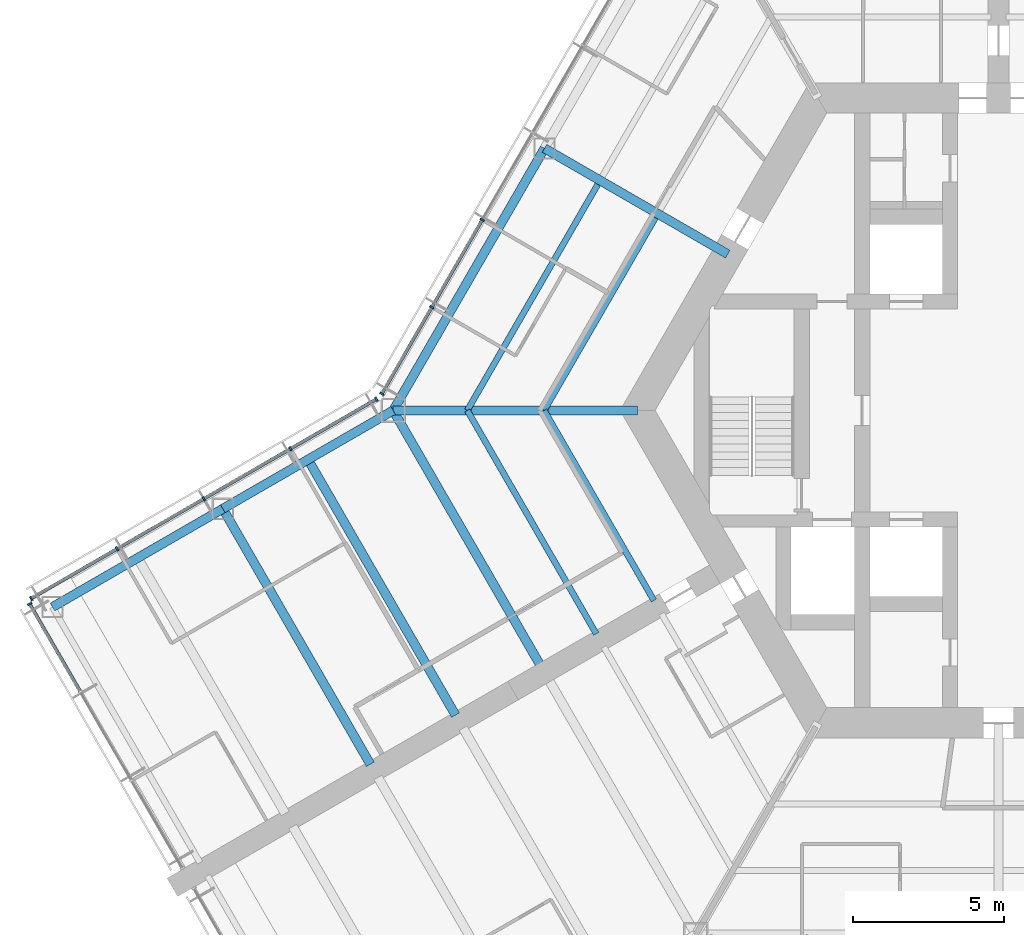
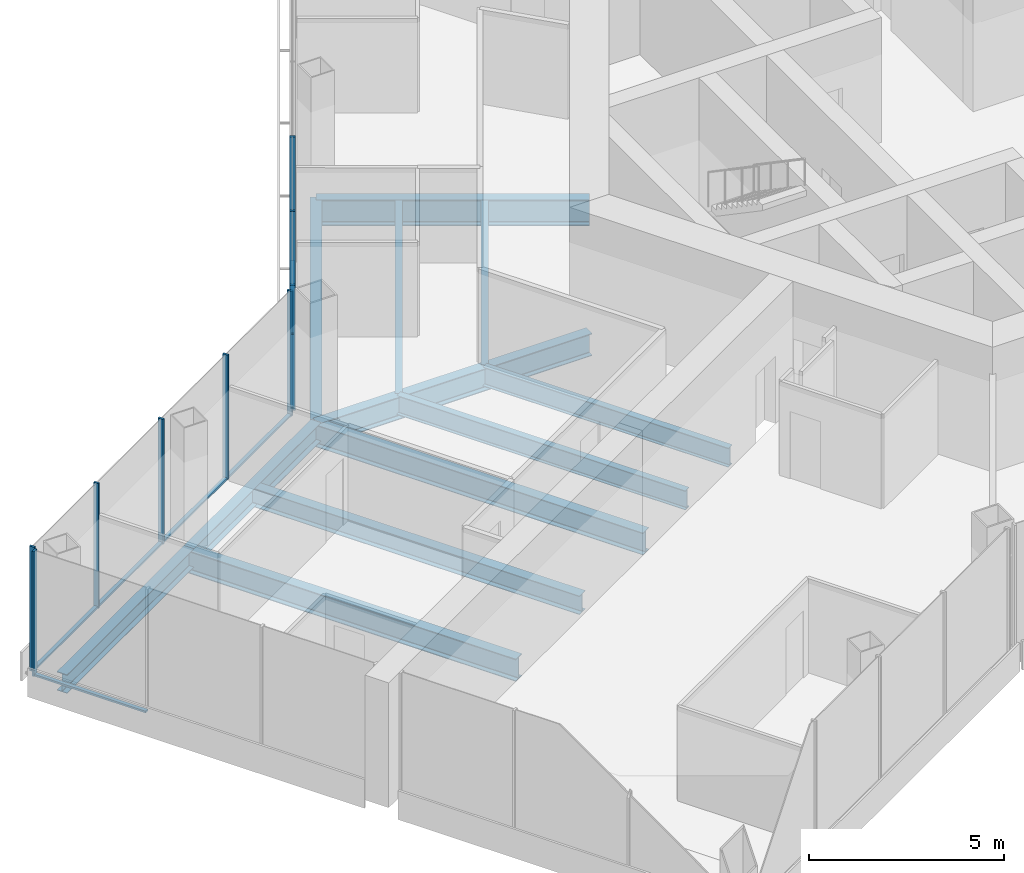
# One storey, part 4 of 18: 16 members, 12 beams, 3 elements without a shape of their own.
"""IFC4 building model written with IfcOpenShell, lengths in metres."""

from ifc_helpers import new_model, si_unit, direction, frame, origin, origin_2d, place, context, subcontext, project, spatial, rectangle, i_section, extrude, material, material_profile, profile_set, type_object, element, aggregate, save


model = new_model("IFC4")

# Units and contexts
model_context = context("Model", 3, precision=1e-05, world=origin(), true_north=direction((0.0, 1.0)))
body_context = subcontext(model_context, "Body", "Model", "MODEL_VIEW")
ifc_project = project(units=[si_unit("LENGTHUNIT", "METRE"), si_unit("AREAUNIT", "SQUARE_METRE"), si_unit("VOLUMEUNIT", "CUBIC_METRE"), si_unit("PLANEANGLEUNIT", "RADIAN"), si_unit("MASSUNIT", "GRAM", prefix="KILO")], contexts=[model_context])

# Site, building, storey
site_placement = place(None, origin())
site = spatial("IfcSite", under=ifc_project, at=site_placement, CompositionType="ELEMENT")
building_placement = place(site_placement, origin())
building = spatial("IfcBuilding", under=site, at=building_placement, Name="Kasaneha Research Tower", CompositionType="ELEMENT")
storey_placement = place(building_placement, frame((0.0, 0.0, 137.0)))
storey = spatial("IfcBuildingStorey", under=building, at=storey_placement, Name="L34", CompositionType="ELEMENT", Elevation=137.0)

# Beams
ifc_material_1 = material(Name="Steel SN490B", Category="steel")
ifc_material_profile_1 = material_profile(ifc_material_1, i_section(OverallWidth=0.199951171875, OverallDepth=0.60009765625, WebThickness=0.010986328125, FlangeThickness=0.01708984375, FilletRadius=0.012939453125, at=origin_2d()), Name="H-600x200x11x17")
ifc_profile_set_1 = profile_set([ifc_material_profile_1], Name="Steel SN490B")
beam_type_1 = type_object("IfcBeamType", Name="B1-3 secondary beam H-600x200x11x17", PredefinedType="JOIST", material=ifc_profile_set_1)
beam_1_placement = place(storey_placement, frame((-15.010986328125, 0.0, -0.449951171875), z_axis=(0.499994443168, 0.866028611999, 0.0), x_axis=(-0.866028611999, 0.499994443168, 0.0)))
element("IfcBeam", 1, at=beam_1_placement, inside=storey, type_object=beam_type_1, Name="Secondary beam RS150R1 L34", PredefinedType="JOIST", context=body_context, shape_type="SweptSolid", body=[
    extrude(i_section(OverallWidth=0.199951171875, OverallDepth=0.60009765625, WebThickness=0.010986328125, FlangeThickness=0.01708984375, FilletRadius=0.012939453125, at=origin_2d()), origin(), (0.0, 0.0, 1.0), 7.35546875),
])
beam_2_placement = place(storey_placement, frame((-17.551513671875, 0.0, -0.449951171875), z_axis=(0.5000050195, 0.866022505755, 0.0), x_axis=(-0.866022505755, 0.5000050195, 0.0)))
element("IfcBeam", 2, at=beam_2_placement, inside=storey, type_object=beam_type_1, Name="Secondary beam RS150R2 L34", PredefinedType="JOIST", context=body_context, shape_type="SweptSolid", body=[
    extrude(i_section(OverallWidth=0.199951171875, OverallDepth=0.60009765625, WebThickness=0.010986328125, FlangeThickness=0.01708984375, FilletRadius=0.012939453125, at=origin_2d()), origin(), (0.0, 0.0, 1.0), 8.6259765625),
])
beam_3_placement = place(storey_placement, frame((-15.010986328125, 0.0, -0.449951171875), z_axis=(0.499993340521, -0.866029248602, 0.0), x_axis=(0.866029248602, 0.499993340521, 0.0)))
element("IfcBeam", 3, at=beam_3_placement, inside=storey, type_object=beam_type_1, Name="Secondary beam RS210L1 L34", PredefinedType="JOIST", context=body_context, shape_type="SweptSolid", body=[
    extrude(i_section(OverallWidth=0.199951171875, OverallDepth=0.60009765625, WebThickness=0.010986328125, FlangeThickness=0.01708984375, FilletRadius=0.012939453125, at=origin_2d()), origin(), (0.0, 0.0, 1.0), 7.25537109375),
])
beam_4_placement = place(storey_placement, frame((-17.551513671875, 0.0, -0.449951171875), z_axis=(0.500004205306, -0.866022975836, 0.0), x_axis=(0.866022975836, 0.500004205306, 0.0)))
element("IfcBeam", 4, at=beam_4_placement, inside=storey, type_object=beam_type_1, Name="Secondary beam RS210L2 L34", PredefinedType="JOIST", context=body_context, shape_type="SweptSolid", body=[
    extrude(i_section(OverallWidth=0.199951171875, OverallDepth=0.60009765625, WebThickness=0.010986328125, FlangeThickness=0.01708984375, FilletRadius=0.012939453125, at=origin_2d()), origin(), (0.0, 0.0, 1.0), 8.52587890625),
])
ifc_material_2 = material(Name="Steel SN490B", Category="steel")
ifc_material_profile_2 = material_profile(ifc_material_2, i_section(OverallWidth=0.300048828125, OverallDepth=0.58203125, WebThickness=0.011962890625, FlangeThickness=0.01708984375, FilletRadius=0.012939453125, at=origin_2d()), Name="H-582x300x12x17")
ifc_profile_set_2 = profile_set([ifc_material_profile_2], Name="Steel SN490B")
beam_type_2 = type_object("IfcBeamType", Name="B2-3 secondary beam H-582x300x12x17", PredefinedType="JOIST", material=ifc_profile_set_2)
beam_5_placement = place(storey_placement, frame((-22.814697265625, -1.625, -0.44091796875), z_axis=(0.499995560238, -0.866027967067, 0.0), x_axis=(0.866027967067, 0.499995560238, 0.0)))
element("IfcBeam", 5, at=beam_5_placement, inside=storey, type_object=beam_type_2, Name="Secondary beam WBBP1 L34", PredefinedType="JOIST", context=body_context, shape_type="SweptSolid", body=[
    extrude(i_section(OverallWidth=0.300048828125, OverallDepth=0.58203125, WebThickness=0.011962890625, FlangeThickness=0.01708984375, FilletRadius=0.012939453125, at=origin_2d()), origin(), (0.0, 0.0, 1.0), 9.75),
])

# Curtain wall, members
ifc_material_3 = material(Name="Glass and aluminium", Category="aluminium")
curtain_wall_type = type_object("IfcCurtainWallType", Name="Mid-rise office curtain wall", PredefinedType="USERDEFINED", material=ifc_material_3)
curtain_wall_1_placement = place(storey_placement, origin())
curtain_wall_1 = element("IfcCurtainWall", 6, at=curtain_wall_1_placement, inside=storey, type_object=curtain_wall_type, Name="CW-O2 L34 run 08a", ObjectType="UNITISED CURTAIN WALL", PredefinedType="USERDEFINED")
ifc_material_4 = material(Name="Aluminium 6063-T6", Category="aluminium")
ifc_material_profile_3 = material_profile(ifc_material_4, rectangle(XDim=0.06005859375, YDim=0.14990234375, at=origin_2d()), Name="CW-O2 mullion 60x150")
ifc_profile_set_3 = profile_set([ifc_material_profile_3], Name="Aluminium 6063-T6")
member_type_1 = type_object("IfcMemberType", Name="CW-O2 mullion", PredefinedType="MULLION", material=ifc_profile_set_3)
member_1_placement = place(storey_placement, frame((-17.058349609375, 6.295166015625, 0.0), z_axis=(0.0, 0.0, 1.0), x_axis=(-0.499999979232, -0.866025415775, 0.0)))
member_1 = element("IfcMember", 7, at=member_1_placement, type_object=member_type_1, Name="CW-O2 mullion 5", PredefinedType="MULLION", context=body_context, shape_type="SweptSolid", body=[
    extrude(rectangle(XDim=0.06005859375, YDim=0.14990234375, at=origin_2d()), origin(), (0.0, 0.0, 1.0), 3.89990234375),
])
member_2_placement = place(storey_placement, frame((-18.723876953125, 3.410400390625, 0.0), z_axis=(0.0, 0.0, 1.0), x_axis=(-0.499999979232, -0.866025415775, 0.0)))
member_2 = element("IfcMember", 8, at=member_2_placement, type_object=member_type_1, Name="CW-O2 mullion 6", PredefinedType="MULLION", context=body_context, shape_type="SweptSolid", body=[
    extrude(rectangle(XDim=0.06005859375, YDim=0.14990234375, at=origin_2d()), origin(), (0.0, 0.0, 1.0), 3.89990234375),
])
member_3_placement = place(storey_placement, frame((-20.374267578125, 0.5517578125, 0.0), z_axis=(0.0, 0.0, 1.0), x_axis=(-0.499999979232, -0.866025415775, 0.0)))
member_3 = element("IfcMember", 9, at=member_3_placement, type_object=member_type_1, Name="CW-O2 mullion 7", PredefinedType="MULLION", context=body_context, shape_type="SweptSolid", body=[
    extrude(rectangle(XDim=0.06005859375, YDim=0.14990234375, at=origin_2d()), origin(), (0.0, 0.0, 1.0), 3.89990234375),
])

curtain_wall_2_placement = place(storey_placement, origin())
curtain_wall_2 = element("IfcCurtainWall", 10, at=curtain_wall_2_placement, inside=storey, type_object=curtain_wall_type, Name="CW-O2 L34 run 09a", ObjectType="UNITISED CURTAIN WALL", PredefinedType="USERDEFINED")
member_4_placement = place(storey_placement, frame((-20.5517578125, 0.374267578125, 0.0), z_axis=(0.0, 0.0, 1.0), x_axis=(-0.866025411464, -0.499999986699, 0.0)))
member_4 = element("IfcMember", 11, at=member_4_placement, type_object=member_type_1, Name="CW-O2 mullion 1", PredefinedType="MULLION", context=body_context, shape_type="SweptSolid", body=[
    extrude(rectangle(XDim=0.06005859375, YDim=0.14990234375, at=origin_2d()), origin(), (0.0, 0.0, 1.0), 3.89990234375),
])
member_5_placement = place(storey_placement, frame((-23.39208984375, -1.265625, 0.0), z_axis=(0.0, 0.0, 1.0), x_axis=(-0.866025411464, -0.499999986699, 0.0)))
member_5 = element("IfcMember", 12, at=member_5_placement, type_object=member_type_1, Name="CW-O2 mullion 2", PredefinedType="MULLION", context=body_context, shape_type="SweptSolid", body=[
    extrude(rectangle(XDim=0.06005859375, YDim=0.14990234375, at=origin_2d()), origin(), (0.0, 0.0, 1.0), 3.89990234375),
])
member_6_placement = place(storey_placement, frame((-26.258544921875, -2.920654296875, 0.0), z_axis=(0.0, 0.0, 1.0), x_axis=(-0.866025411464, -0.499999986699, 0.0)))
member_6 = element("IfcMember", 13, at=member_6_placement, type_object=member_type_1, Name="CW-O2 mullion 3", PredefinedType="MULLION", context=body_context, shape_type="SweptSolid", body=[
    extrude(rectangle(XDim=0.06005859375, YDim=0.14990234375, at=origin_2d()), origin(), (0.0, 0.0, 1.0), 3.89990234375),
])
member_7_placement = place(storey_placement, frame((-29.125, -4.575439453125, 0.0), z_axis=(0.0, 0.0, 1.0), x_axis=(-0.866025411464, -0.499999986699, 0.0)))
member_7 = element("IfcMember", 14, at=member_7_placement, type_object=member_type_1, Name="CW-O2 mullion 4", PredefinedType="MULLION", context=body_context, shape_type="SweptSolid", body=[
    extrude(rectangle(XDim=0.06005859375, YDim=0.14990234375, at=origin_2d()), origin(), (0.0, 0.0, 1.0), 3.89990234375),
])
member_8_placement = place(storey_placement, frame((-31.96533203125, -6.21533203125, 0.0), z_axis=(0.0, 0.0, 1.0), x_axis=(-0.866025411464, -0.499999986699, 0.0)))
member_8 = element("IfcMember", 15, at=member_8_placement, type_object=member_type_1, Name="CW-O2 mullion 5", PredefinedType="MULLION", context=body_context, shape_type="SweptSolid", body=[
    extrude(rectangle(XDim=0.06005859375, YDim=0.14990234375, at=origin_2d()), origin(), (0.0, 0.0, 1.0), 3.89990234375),
])

# Curtain wall, member
curtain_wall_3_placement = place(storey_placement, origin())
curtain_wall_3 = element("IfcCurtainWall", 16, at=curtain_wall_3_placement, inside=storey, type_object=curtain_wall_type, Name="CW-O2 L34 run 10a", ObjectType="UNITISED CURTAIN WALL", PredefinedType="USERDEFINED")
member_9_placement = place(storey_placement, frame((-32.012939453125, -6.39306640625, 0.0), z_axis=(0.0, 0.0, 1.0), x_axis=(0.500000011442, -0.866025397178, 0.0)))
member_9 = element("IfcMember", 17, at=member_9_placement, type_object=member_type_1, Name="CW-O2 mullion 1", PredefinedType="MULLION", context=body_context, shape_type="SweptSolid", body=[
    extrude(rectangle(XDim=0.06005859375, YDim=0.14990234375, at=origin_2d()), origin(), (0.0, 0.0, 1.0), 3.89990234375),
])

# Member
ifc_material_5 = material(Name="Aluminium 6063-T6", Category="aluminium")
ifc_material_profile_4 = material_profile(ifc_material_5, rectangle(XDim=0.110107421875, YDim=0.06005859375, at=origin_2d()), Name="CW-O2 transom 110x60")
ifc_profile_set_4 = profile_set([ifc_material_profile_4], Name="Aluminium 6063-T6")
member_type_2 = type_object("IfcMemberType", Name="CW-O2 transom", PredefinedType="USERDEFINED", material=ifc_profile_set_4)
member_10_placement = place(storey_placement, frame((-17.0732421875, 6.269287109375, 0.030029296875), z_axis=(-0.500000270186, -0.866025247793, 0.0), x_axis=(0.866025247793, -0.500000270186, 0.0)))
member_10 = element("IfcMember", 18, at=member_10_placement, type_object=member_type_2, Name="CW-O2 transom 5", ObjectType="TRANSOM", PredefinedType="USERDEFINED", context=body_context, shape_type="SweptSolid", body=[
    extrude(rectangle(XDim=0.110107421875, YDim=0.06005859375, at=origin_2d()), origin(), (0.0, 0.0, 1.0), 3.27099609375),
])

member_11_placement = place(storey_placement, frame((-18.73876953125, 3.384521484375, 0.030029296875), z_axis=(-0.499987643696, -0.866032537582, 0.0), x_axis=(0.866032537582, -0.499987643696, 0.0)))
member_11 = element("IfcMember", 19, at=member_11_placement, type_object=member_type_2, Name="CW-O2 transom 6", ObjectType="TRANSOM", PredefinedType="USERDEFINED", context=body_context, shape_type="SweptSolid", body=[
    extrude(rectangle(XDim=0.110107421875, YDim=0.06005859375, at=origin_2d()), origin(), (0.0, 0.0, 1.0), 3.24072265625),
])

aggregate(curtain_wall_1, [member_1, member_2, member_3, member_10, member_11])

member_12_placement = place(storey_placement, frame((-20.577880859375, 0.359130859375, 0.030029296875), z_axis=(-0.866022692473, -0.500004696101, 0.0), x_axis=(0.500004696101, -0.866022692473, 0.0)))
member_12 = element("IfcMember", 20, at=member_12_placement, type_object=member_type_2, Name="CW-O2 transom 1", ObjectType="TRANSOM", PredefinedType="USERDEFINED", context=body_context, shape_type="SweptSolid", body=[
    extrude(rectangle(XDim=0.110107421875, YDim=0.06005859375, at=origin_2d()), origin(), (0.0, 0.0, 1.0), 3.2197265625),
])

member_13_placement = place(storey_placement, frame((-23.418212890625, -1.28076171875, 0.030029296875), z_axis=(-0.86604797581, -0.499960902066, 0.0), x_axis=(0.499960902066, -0.86604797581, 0.0)))
member_13 = element("IfcMember", 21, at=member_13_placement, type_object=member_type_2, Name="CW-O2 transom 2", ObjectType="TRANSOM", PredefinedType="USERDEFINED", context=body_context, shape_type="SweptSolid", body=[
    extrude(rectangle(XDim=0.110107421875, YDim=0.06005859375, at=origin_2d()), origin(), (0.0, 0.0, 1.0), 3.249755859375),
])

member_14_placement = place(storey_placement, frame((-26.28466796875, -2.935546875, 0.030029296875), z_axis=(-0.86599666273, -0.500049777664, 0.0), x_axis=(0.500049777664, -0.86599666273, 0.0)))
member_14 = element("IfcMember", 22, at=member_14_placement, type_object=member_type_2, Name="CW-O2 transom 3", ObjectType="TRANSOM", PredefinedType="USERDEFINED", context=body_context, shape_type="SweptSolid", body=[
    extrude(rectangle(XDim=0.110107421875, YDim=0.06005859375, at=origin_2d()), origin(), (0.0, 0.0, 1.0), 3.249755859375),
])

member_15_placement = place(storey_placement, frame((-29.15087890625, -4.590576171875, 0.030029296875), z_axis=(-0.866041647767, -0.499971863542, 0.0), x_axis=(0.499971863542, -0.866041647767, 0.0)))
member_15 = element("IfcMember", 23, at=member_15_placement, type_object=member_type_2, Name="CW-O2 transom 4", ObjectType="TRANSOM", PredefinedType="USERDEFINED", context=body_context, shape_type="SweptSolid", body=[
    extrude(rectangle(XDim=0.110107421875, YDim=0.06005859375, at=origin_2d()), origin(), (0.0, 0.0, 1.0), 3.219970703125),
])

aggregate(curtain_wall_2, [member_4, member_5, member_6, member_7, member_8, member_12, member_13, member_14, member_15])

member_16_placement = place(storey_placement, frame((-31.998046875, -6.4189453125, 0.030029296875), z_axis=(0.500021914551, -0.866012751043, 0.0), x_axis=(0.866012751043, 0.500021914551, 0.0)))
member_16 = element("IfcMember", 24, at=member_16_placement, type_object=member_type_2, Name="CW-O2 transom 1", ObjectType="TRANSOM", PredefinedType="USERDEFINED", context=body_context, shape_type="SweptSolid", body=[
    extrude(rectangle(XDim=0.110107421875, YDim=0.06005859375, at=origin_2d()), origin(), (0.0, 0.0, 1.0), 3.293212890625),
])

aggregate(curtain_wall_3, [member_9, member_16])

# Beams
ifc_material_6 = material(Name="Steel SN490B", Category="steel")
ifc_material_profile_5 = material_profile(ifc_material_6, i_section(OverallWidth=0.300048828125, OverallDepth=0.699951171875, WebThickness=0.012939453125, FlangeThickness=0.02392578125, FilletRadius=0.01806640625, at=origin_2d()), Name="H-700x300x13x24")
ifc_profile_set_5 = profile_set([ifc_material_profile_5], Name="Steel SN490B")
beam_type_3 = type_object("IfcBeamType", Name="G1-3 radial girder H-700x300x13x24", PredefinedType="BEAM", material=ifc_profile_set_5)
beam_6_placement = place(storey_placement, frame((-11.92236328125, 0.0, -0.5), z_axis=(-1.0, 0.0, 0.0), x_axis=(0.0, -1.0, 0.0)))
element("IfcBeam", 25, at=beam_6_placement, inside=storey, type_object=beam_type_3, Name="Radial girder RV180 L34", PredefinedType="BEAM", context=body_context, shape_type="SweptSolid", body=[
    extrude(i_section(OverallWidth=0.300048828125, OverallDepth=0.699951171875, WebThickness=0.012939453125, FlangeThickness=0.02392578125, FilletRadius=0.01806640625, at=origin_2d()), origin(), (0.0, 0.0, 1.0), 8.07763671875),
])
ifc_material_7 = material(Name="Steel SN490B", Category="steel")
ifc_material_profile_6 = material_profile(ifc_material_7, i_section(OverallWidth=0.300048828125, OverallDepth=0.800048828125, WebThickness=0.013916015625, FlangeThickness=0.02587890625, FilletRadius=0.01806640625, at=origin_2d()), Name="H-800x300x14x26")
ifc_profile_set_6 = profile_set([ifc_material_profile_6], Name="Steel SN490B")
beam_type_4 = type_object("IfcBeamType", Name="G2-3 radial girder H-800x300x14x26", PredefinedType="BEAM", material=ifc_profile_set_6)
beam_7_placement = place(storey_placement, frame((-8.941650390625, 5.16259765625, -0.550048828125), z_axis=(-0.866039713508, 0.499975214012, 0.0), x_axis=(-0.499975214012, -0.866039713508, 0.0)))
element("IfcBeam", 26, at=beam_7_placement, inside=storey, type_object=beam_type_4, Name="Radial girder RM150 L34", PredefinedType="BEAM", context=body_context, shape_type="SweptSolid", body=[
    extrude(i_section(OverallWidth=0.300048828125, OverallDepth=0.800048828125, WebThickness=0.013916015625, FlangeThickness=0.02587890625, FilletRadius=0.01806640625, at=origin_2d()), origin(), (0.0, 0.0, 1.0), 6.995361328125),
])
ifc_material_8 = material(Name="Steel SN490B", Category="steel")
ifc_material_profile_7 = material_profile(ifc_material_8, i_section(OverallWidth=0.300048828125, OverallDepth=0.69189453125, WebThickness=0.012939453125, FlangeThickness=0.02001953125, FilletRadius=0.01806640625, at=origin_2d()), Name="H-692x300x13x20")
ifc_profile_set_7 = profile_set([ifc_material_profile_7], Name="Steel SN490B")
beam_type_5 = type_object("IfcBeamType", Name="G3-3 plate edge girder H-692x300x13x20", PredefinedType="BEAM", material=ifc_profile_set_7)
beam_8_placement = place(storey_placement, frame((-20.0, 0.0, -0.49609375), z_axis=(0.499995560238, -0.866027967067, 0.0), x_axis=(0.866027967067, 0.499995560238, 0.0)))
element("IfcBeam", 27, at=beam_8_placement, inside=storey, type_object=beam_type_5, Name="Plate edge girder PEBP L34", PredefinedType="BEAM", context=body_context, shape_type="SweptSolid", body=[
    extrude(i_section(OverallWidth=0.300048828125, OverallDepth=0.69189453125, WebThickness=0.012939453125, FlangeThickness=0.02001953125, FilletRadius=0.01806640625, at=origin_2d()), origin(), (0.0, 0.0, 1.0), 9.75),
])
ifc_material_9 = material(Name="Steel SN490B", Category="steel")
ifc_material_profile_8 = material_profile(ifc_material_9, i_section(OverallWidth=0.300048828125, OverallDepth=0.699951171875, WebThickness=0.012939453125, FlangeThickness=0.02392578125, FilletRadius=0.01806640625, at=origin_2d()), Name="H-700x300x13x24")
ifc_profile_set_8 = profile_set([ifc_material_profile_8], Name="Steel SN490B")
beam_type_6 = type_object("IfcBeamType", Name="G4-3 wing girder H-700x300x13x24", PredefinedType="BEAM", material=ifc_profile_set_8)
beam_9_placement = place(storey_placement, frame((-25.629150390625, -3.25, -0.5), z_axis=(0.499995560238, -0.866027967067, 0.0), x_axis=(0.866027967067, 0.499995560238, 0.0)))
element("IfcBeam", 28, at=beam_9_placement, inside=storey, type_object=beam_type_6, Name="Wing girder WGBP L34", PredefinedType="BEAM", context=body_context, shape_type="SweptSolid", body=[
    extrude(i_section(OverallWidth=0.300048828125, OverallDepth=0.699951171875, WebThickness=0.012939453125, FlangeThickness=0.02392578125, FilletRadius=0.01806640625, at=origin_2d()), origin(), (0.0, 0.0, 1.0), 9.75),
])
ifc_material_10 = material(Name="Steel SN490B", Category="steel")
ifc_material_profile_9 = material_profile(ifc_material_10, i_section(OverallWidth=0.300048828125, OverallDepth=0.69189453125, WebThickness=0.012939453125, FlangeThickness=0.02001953125, FilletRadius=0.01806640625, at=origin_2d()), Name="H-692x300x13x20")
ifc_profile_set_9 = profile_set([ifc_material_profile_9], Name="Steel SN490B")
beam_type_7 = type_object("IfcBeamType", Name="SB1-3 spandrel beam H-692x300x13x20", PredefinedType="SPANDREL", material=ifc_profile_set_9)
beam_10_placement = place(storey_placement, frame((-20.0, 0.0, -0.49609375), z_axis=(0.500004234368, 0.866022959057, 0.0), x_axis=(-0.866022959057, 0.500004234368, 0.0)))
element("IfcBeam", 29, at=beam_10_placement, inside=storey, type_object=beam_type_7, Name="Spandrel beam SR150R L34", PredefinedType="SPANDREL", context=body_context, shape_type="SweptSolid", body=[
    extrude(i_section(OverallWidth=0.300048828125, OverallDepth=0.69189453125, WebThickness=0.012939453125, FlangeThickness=0.02001953125, FilletRadius=0.01806640625, at=origin_2d()), origin(), (0.0, 0.0, 1.0), 10.0),
])
ifc_material_11 = material(Name="Steel SN490B", Category="steel")
ifc_material_profile_10 = material_profile(ifc_material_11, i_section(OverallWidth=0.300048828125, OverallDepth=0.58203125, WebThickness=0.011962890625, FlangeThickness=0.01708984375, FilletRadius=0.012939453125, at=origin_2d()), Name="H-582x300x12x17")
ifc_profile_set_10 = profile_set([ifc_material_profile_10], Name="Steel SN490B")
beam_type_8 = type_object("IfcBeamType", Name="SB2-3 spandrel beam H-582x300x12x17", PredefinedType="SPANDREL", material=ifc_profile_set_10)
for number, where, z_axis, x_axis, name in (
    (30, (-20.0, 0.0, -0.44091796875), (-0.866024837091, -0.50000098154, 0.0), (0.50000098154, -0.866024837091, 0.0), "Spandrel beam WSBP1 L34"),
    (31, (-25.629150390625, -3.25, -0.44091796875), (-0.866024837091, -0.50000098154, 0.0), (0.50000098154, -0.866024837091, 0.0), "Spandrel beam WSBP2 L34"),
):
    element("IfcBeam", number, at=place(storey_placement, frame(where, z_axis=z_axis, x_axis=x_axis)), inside=storey, type_object=beam_type_8, Name=name, PredefinedType="SPANDREL", context=body_context, shape_type="SweptSolid", body=[
        extrude(i_section(OverallWidth=0.300048828125, OverallDepth=0.58203125, WebThickness=0.011962890625, FlangeThickness=0.01708984375, FilletRadius=0.012939453125, at=origin_2d()), origin(), (0.0, 0.0, 1.0), 6.5),
    ])

save(model, "model.ifc")
